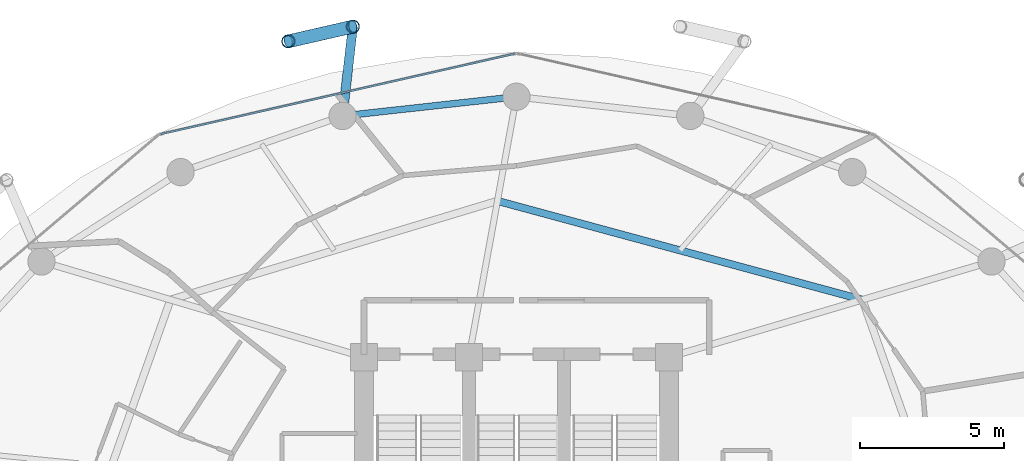
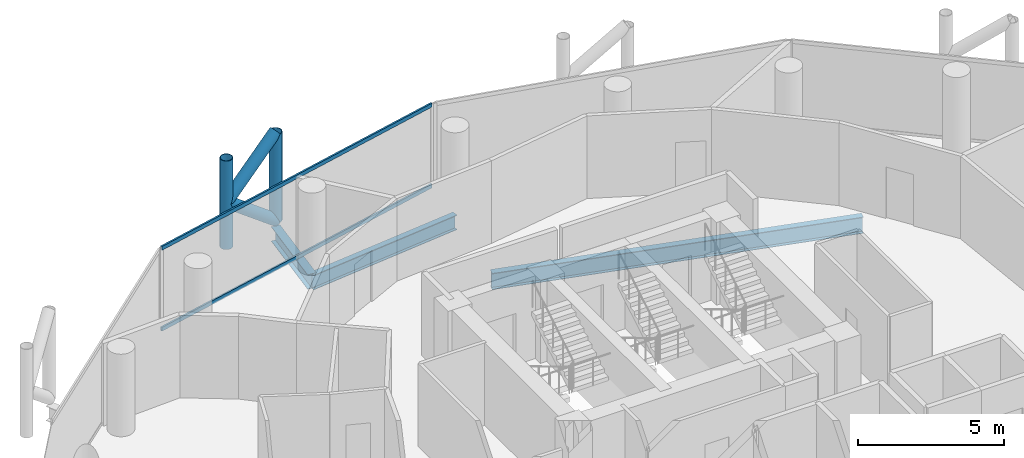
# One storey, part 16 of 26: 6 members, 3 beams, 1 element without a shape of its own.
"""IFC4 building model written with IfcOpenShell, lengths in metres."""

from ifc_helpers import new_model, si_unit, direction, frame, origin, origin_2d, place, context, subcontext, project, spatial, hollow_rectangle, hollow_circle, i_section, extrude, material, layer, layer_set, material_profile, profile_set, type_object, element, aggregate, save


model = new_model("IFC4")

# Units and contexts
model_context = context("Model", 3, precision=1e-05, world=origin(), true_north=direction((0.0, 1.0)))
body_context = subcontext(model_context, "Body", "Model", "MODEL_VIEW")
ifc_project = project(units=[si_unit("LENGTHUNIT", "METRE"), si_unit("AREAUNIT", "SQUARE_METRE"), si_unit("VOLUMEUNIT", "CUBIC_METRE"), si_unit("PLANEANGLEUNIT", "RADIAN"), si_unit("MASSUNIT", "GRAM", prefix="KILO")], contexts=[model_context])

# Site, building, storey
site_placement = place(None, origin())
site = spatial("IfcSite", under=ifc_project, at=site_placement, CompositionType="ELEMENT")
building_placement = place(site_placement, origin())
building = spatial("IfcBuilding", under=site, at=building_placement, Name="Nuhasar Tower", CompositionType="ELEMENT")
storey_placement = place(building_placement, frame((0.0, 0.0, 184.85009765625)))
storey = spatial("IfcBuildingStorey", under=building, at=storey_placement, Name="L45", CompositionType="ELEMENT", Elevation=184.85009765625)

# Beams
ifc_material_1 = material(Name="Steel S355", Category="steel")
ifc_material_profile_1 = material_profile(ifc_material_1, i_section(OverallWidth=0.25390625, OverallDepth=0.68408203125, WebThickness=0.012451171875, FlangeThickness=0.018798828125, at=origin_2d()), Name="W27X94")
ifc_profile_set_1 = profile_set([ifc_material_profile_1], Name="Steel S355")
beam_type_1 = type_object("IfcBeamType", Name="BM-INRING-W27X94", PredefinedType="BEAM", material=ifc_profile_set_1)
beam_1_placement = place(storey_placement, frame((51.027099609375, 39.2939453125, -0.592041015625), z_axis=(-0.96522695776, 0.261413312618, 0.0), x_axis=(-0.261413312618, -0.96522695776, 0.0)))
element("IfcBeam", 1, at=beam_1_placement, inside=storey, type_object=beam_type_1, Name="L45 Inner Header Beam 05", PredefinedType="BEAM", context=body_context, shape_type="SweptSolid", body=[
    extrude(i_section(OverallWidth=0.25390625, OverallDepth=0.68408203125, WebThickness=0.012451171875, FlangeThickness=0.018798828125, at=origin_2d()), origin(), (0.0, 0.0, 1.0), 13.14404296875),
])
ifc_material_profile_2 = material_profile(ifc_material_1, i_section(OverallWidth=0.22998046875, OverallDepth=0.616943359375, WebThickness=0.01318359375, FlangeThickness=0.022216796875, at=origin_2d()), Name="W24X94")
ifc_profile_set_2 = profile_set([ifc_material_profile_2], Name="Steel S355")
beam_type_2 = type_object("IfcBeamType", Name="BM-RING-W24X94", PredefinedType="SPANDREL", material=ifc_profile_set_2)
beam_2_placement = place(storey_placement, frame((39.0, 46.35009765625, -0.55908203125), z_axis=(-0.993981289157, -0.109549974015, 0.0), x_axis=(0.109549974015, -0.993981289157, 0.0)))
element("IfcBeam", 2, at=beam_2_placement, inside=storey, type_object=beam_type_2, Name="L45 Perimeter Ring Spandrel 07", PredefinedType="SPANDREL", context=body_context, shape_type="SweptSolid", body=[
    extrude(i_section(OverallWidth=0.22998046875, OverallDepth=0.616943359375, WebThickness=0.01318359375, FlangeThickness=0.022216796875, at=origin_2d()), origin(), (0.0, 0.0, 1.0), 6.07958984375),
])
ifc_material_profile_3 = material_profile(ifc_material_1, i_section(OverallWidth=0.323974609375, OverallDepth=0.611083984375, WebThickness=0.0126953125, FlangeThickness=0.01904296875, at=origin_2d()), Name="W24X104")
ifc_profile_set_3 = profile_set([ifc_material_profile_3], Name="Steel S355")
beam_type_3 = type_object("IfcBeamType", Name="BM-TIE-W24X104", PredefinedType="BEAM", material=ifc_profile_set_3)
beam_3_placement = place(storey_placement, frame((32.95703125, 45.68408203125, -0.55615234375), z_axis=(0.114167639647, 0.993461499031, 0.0), x_axis=(-0.993461499031, 0.114167639647, 0.0)))
element("IfcBeam", 3, at=beam_3_placement, inside=storey, type_object=beam_type_3, Name="L45 Exoskeleton Node Tie Beam 04", PredefinedType="BEAM", context=body_context, shape_type="SweptSolid", body=[
    extrude(i_section(OverallWidth=0.323974609375, OverallDepth=0.611083984375, WebThickness=0.0126953125, FlangeThickness=0.01904296875, at=origin_2d()), origin(), (0.0, 0.0, 1.0), 3.12646484375),
])

# Curtain wall, members
ifc_material_2 = material(Name="Aluminium 6063-T6", Category="aluminium")
ifc_layer = layer(ifc_material_2, 0.199951171875)
ifc_layer_set = layer_set([ifc_layer], Name="Aluminium 6063-T6")
curtain_wall_type = type_object("IfcCurtainWallType", Name="CW-Z2-HTL", PredefinedType="NOTDEFINED", material=ifc_layer_set)
curtain_wall_placement = place(storey_placement, origin())
curtain_wall = element("IfcCurtainWall", 4, at=curtain_wall_placement, inside=storey, type_object=curtain_wall_type, Name="L45 Unitised Curtain Wall 04", PredefinedType="NOTDEFINED")
ifc_material_profile_4 = material_profile(ifc_material_2, hollow_rectangle(XDim=0.070068359375, YDim=0.159912109375, WallThickness=0.00439453125, at=origin_2d()), Name="CWT-3")
ifc_profile_set_4 = profile_set([ifc_material_profile_4], Name="Aluminium 6063-T6")
member_type_1 = type_object("IfcMemberType", Name="CW-TRN-S3", PredefinedType="USERDEFINED", material=ifc_profile_set_4)
member_1_placement = place(storey_placement, frame((38.931640625, 47.844482421875, 0.034912109375), z_axis=(-0.975183434528, -0.221398439519, 0.0), x_axis=(0.221398439519, -0.975183434528, 0.0)))
member_1 = element("IfcMember", 5, at=member_1_placement, type_object=member_type_1, Name="CW-Z2 transom 1.1", ObjectType="TRANSOM", PredefinedType="USERDEFINED", context=body_context, shape_type="SweptSolid", body=[
    extrude(hollow_rectangle(XDim=0.070068359375, YDim=0.159912109375, WallThickness=0.00439453125, at=origin_2d()), origin(), (0.0, 0.0, 1.0), 12.606201171875),
])
member_2_placement = place(storey_placement, frame((38.931640625, 47.844482421875, 3.414794921875), z_axis=(-0.975183434528, -0.221398439519, 0.0), x_axis=(0.221398439519, -0.975183434528, 0.0)))
member_2 = element("IfcMember", 6, at=member_2_placement, type_object=member_type_1, Name="CW-Z2 transom 1.2", ObjectType="TRANSOM", PredefinedType="USERDEFINED", context=body_context, shape_type="SweptSolid", body=[
    extrude(hollow_rectangle(XDim=0.070068359375, YDim=0.159912109375, WallThickness=0.00439453125, at=origin_2d()), origin(), (0.0, 0.0, 1.0), 12.606201171875),
])
aggregate(curtain_wall, [member_1, member_2])

# Members
ifc_material_3 = material(Name="Steel S460", Category="steel")
ifc_material_profile_5 = material_profile(ifc_material_3, hollow_circle(Radius=0.228515625, WallThickness=0.022216796875, at=origin_2d()), Name="HSS457X22.2")
ifc_profile_set_5 = profile_set([ifc_material_profile_5], Name="Steel S460")
member_type_2 = type_object("IfcMemberType", Name="EXO-BRONZE-457", PredefinedType="BRACE", material=ifc_profile_set_5)
for number, where, z_axis, x_axis, name in (
    (7, (33.31396484375, 48.7900390625, 0.0), (0.0, 0.0, 1.0), (1.0, 0.0, 0.0), "L45 Exoskeleton Chord Column EC-04A"),
    (8, (31.072021484375, 48.27587890625, 0.0), (0.0, 0.0, 1.0), (1.0, 0.0, 0.0), "L45 Exoskeleton Chord Column EC-04B"),
):
    element("IfcMember", number, at=place(storey_placement, frame(where, z_axis=z_axis, x_axis=x_axis)), inside=storey, type_object=member_type_2, Name=name, PredefinedType="BRACE", context=body_context, shape_type="SweptSolid", body=[
        extrude(hollow_circle(Radius=0.228515625, WallThickness=0.022216796875, at=origin_2d()), origin(), (0.0, 0.0, 1.0), 3.699951171875),
    ])
member_3_placement = place(storey_placement, frame((33.31396484375, 48.7900390625, 0.0), z_axis=(-0.759538919781, -0.174190239035, 0.626704388019), x_axis=(0.223533724104, -0.974696195842, 0.0)))
element("IfcMember", 9, at=member_3_placement, inside=storey, type_object=member_type_2, Name="L45 Bronze Diagrid Brace W1-04", PredefinedType="BRACE", context=body_context, shape_type="SweptSolid", body=[
    extrude(hollow_circle(Radius=0.228515625, WallThickness=0.022216796875, at=origin_2d()), origin(), (0.0, 0.0, 1.0), 2.95166015625),
])
member_4_placement = place(storey_placement, frame((31.072021484375, 48.27587890625, 1.849853515625), z_axis=(0.759499549084, 0.174181209885, 0.626754609927), x_axis=(-0.223533724104, 0.974696195842, 0.0)))
element("IfcMember", 10, at=member_4_placement, inside=storey, type_object=member_type_2, Name="L45 Bronze Diagrid Brace W2-04", PredefinedType="BRACE", context=body_context, shape_type="SweptSolid", body=[
    extrude(hollow_circle(Radius=0.228515625, WallThickness=0.022216796875, at=origin_2d()), origin(), (0.0, 0.0, 1.0), 2.951904296875),
])

save(model, "model.ifc")
